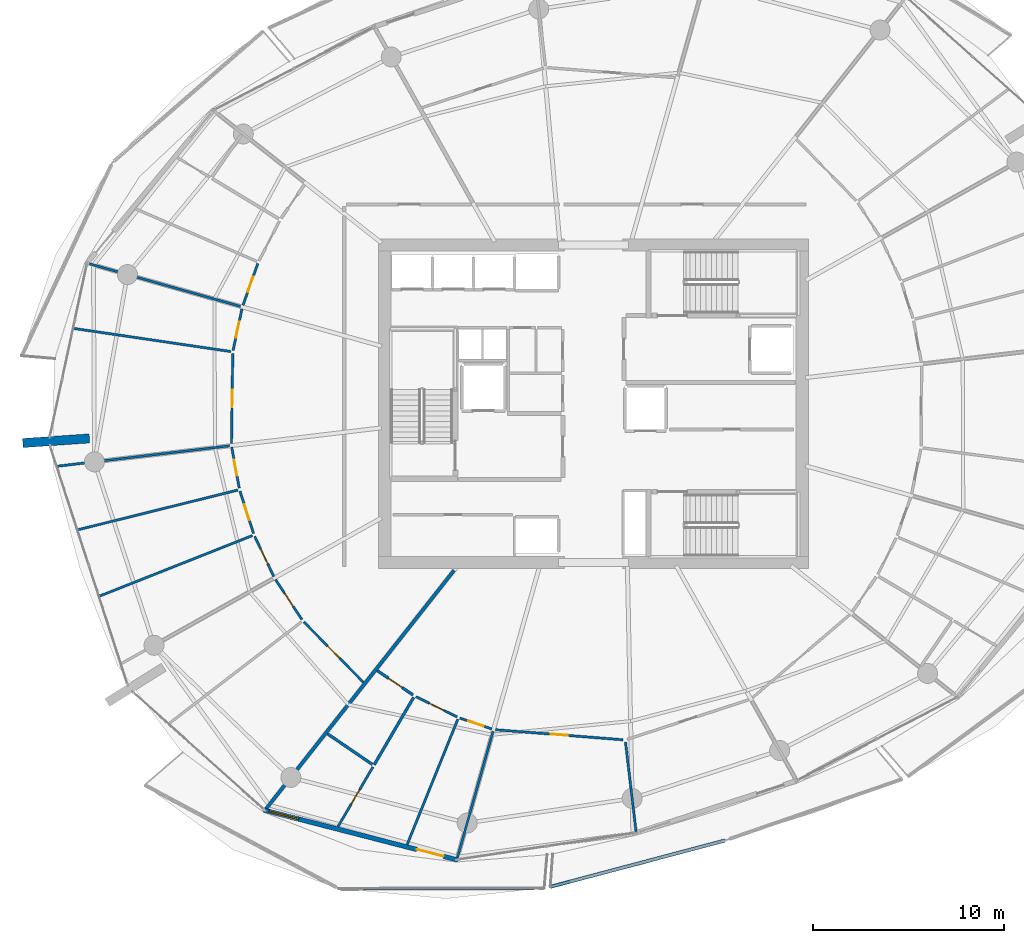
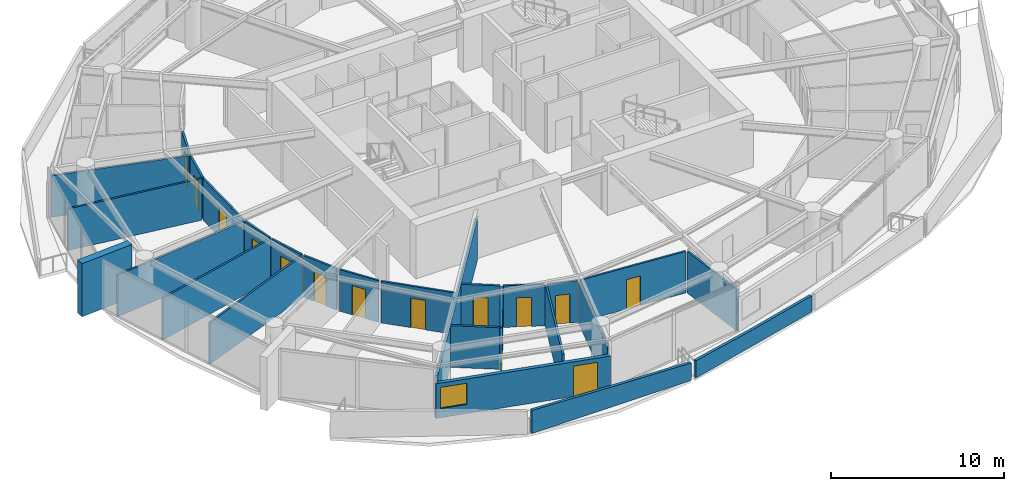
# One storey, part 11 of 20: 28 walls, 14 doors, 1 window, 15 openings.
"""IFC4 building model written with IfcOpenShell, lengths in metres."""

from ifc_helpers import new_model, si_unit, direction, frame, frame_2d, origin, place, context, subcontext, project, spatial, polyline, rectangle, outline, extrude, material, layer, layer_set, type_object, element, fill, save


model = new_model("IFC4")

# Units and contexts
model_context = context("Model", 3, precision=1e-05, world=origin(), true_north=direction((0.0, 1.0)))
body_context = subcontext(model_context, "Body", "Model", "MODEL_VIEW")
ifc_project = project(units=[si_unit("LENGTHUNIT", "METRE"), si_unit("AREAUNIT", "SQUARE_METRE"), si_unit("VOLUMEUNIT", "CUBIC_METRE"), si_unit("PLANEANGLEUNIT", "RADIAN"), si_unit("MASSUNIT", "GRAM", prefix="KILO")], contexts=[model_context])

# Site, building, storey
site_placement = place(None, origin())
site = spatial("IfcSite", under=ifc_project, at=site_placement, CompositionType="ELEMENT")
building_placement = place(site_placement, origin())
building = spatial("IfcBuilding", under=site, at=building_placement, Name="Kazma Halo Residences", CompositionType="ELEMENT")
storey_placement = place(building_placement, frame((0.0, 0.0, 214.050048828125)))
storey = spatial("IfcBuildingStorey", under=building, at=storey_placement, Name="L54", CompositionType="ELEMENT", Elevation=214.050048828125)

# Walls
ifc_material_1 = material(Name="White Concrete C50/60 Balustrade", Category="concrete")
ifc_layer_1 = layer(ifc_material_1, 0.179931640625)
ifc_layer_set_1 = layer_set([ifc_layer_1], Name="White Concrete C50/60 Balustrade")
wall_type_1 = type_object("IfcWallType", Name="WL-BAL-WAVE-180", PredefinedType="PARAPET", material=ifc_layer_set_1)
wall_1_placement = place(storey_placement, frame((35.16357421875, 16.571533203125, 0.0), z_axis=(0.0, 0.0, 1.0), x_axis=(0.999995918579, 0.002857065892, 0.0)))
element("IfcWall", 1, at=wall_1_placement, inside=storey, type_object=wall_type_1, Name="L54 white wave balustrade wall SW.2", PredefinedType="PARAPET", context=body_context, shape_type="SweptSolid", body=[
    extrude(outline(polyline([(0.0, 0.0), (10.681396484375, 0.0), (10.681396484375, 1.23291015625), (5.3408203125, 1.41796875), (0.0, 1.6318359375), (0.0, 0.0)])), frame((0.0, 0.08984375, 0.0), z_axis=(0.0, -1.0, 0.0), x_axis=(1.0, 0.0, 0.0)), (0.0, 0.0, 1.0), 0.179931640625),
])
wall_2_placement = place(storey_placement, frame((46.16162109375, 16.662109375, 0.0), z_axis=(0.0, 0.0, 1.0), x_axis=(0.96653117448, 0.256549193642, 0.0)))
element("IfcWall", 2, at=wall_2_placement, inside=storey, type_object=wall_type_1, Name="L54 white wave balustrade wall SSE.1", PredefinedType="PARAPET", context=body_context, shape_type="SweptSolid", body=[
    extrude(outline(polyline([(0.0, 0.0), (9.47265625, 0.0), (9.47265625, 1.14794921875), (4.736328125, 1.126953125), (0.0, 1.223876953125), (0.0, 0.0)])), frame((0.0, 0.08984375, 0.0), z_axis=(0.0, -1.0, 0.0), x_axis=(1.0, 0.0, 0.0)), (0.0, 0.0, 1.0), 0.179931640625),
])
ifc_material_2 = material(Name="Pale Concrete C60/75", Category="concrete")
ifc_layer_2 = layer(ifc_material_2, 0.47998046875)
ifc_layer_set_2 = layer_set([ifc_layer_2], Name="Pale Concrete C60/75")
wall_type_2 = type_object("IfcWallType", Name="WL-BLADE-480", PredefinedType="SOLIDWALL", material=ifc_layer_set_2)
wall_3_placement = place(storey_placement, frame((21.9873046875, 40.180908203125, 0.0), z_axis=(0.0, 0.0, 1.0), x_axis=(-0.997568676264, -0.069690287244, 0.0)))
element("IfcWall", 3, at=wall_3_placement, inside=storey, type_object=wall_type_2, Name="L54 pale concrete structural blade fin wall BW-02", PredefinedType="SOLIDWALL", context=body_context, shape_type="SweptSolid", body=[
    extrude(rectangle(XDim=3.499755859375, YDim=0.47998046875, at=frame_2d((1.75, 0.0))), origin(), (0.0, 0.0, 1.0), 3.75),
])
ifc_material_3 = material(Name="Acoustic Twin-Stud Gypsum")
ifc_layer_3 = layer(ifc_material_3, 0.179931640625)
ifc_layer_set_3 = layer_set([ifc_layer_3], Name="Acoustic Twin-Stud Gypsum")
wall_type_3 = type_object("IfcWallType", Name="WL-DEM-180", PredefinedType="PARTITIONING", material=ifc_layer_set_3)
wall_4_placement = place(storey_placement, frame((41.11279296875, 33.263671875, 0.0), z_axis=(0.0, 0.0, 1.0), x_axis=(-0.619089233189, -0.785320648748, 0.0)))
element("IfcWall", 4, at=wall_4_placement, inside=storey, type_object=wall_type_3, Name="L54 apartment demising radial wall 09", PredefinedType="PARTITIONING", context=body_context, shape_type="SweptSolid", body=[
    extrude(rectangle(XDim=16.005615234375, YDim=0.179931640625, at=frame_2d((8.0029296875, 0.0))), origin(), (0.0, 0.0, 1.0), 2.93994140625),
])

# Wall, openings, door, window
ifc_material_4 = material(Name="Insulated Pale-Metal Composite Wall")
ifc_layer_4 = layer(ifc_material_4, 0.239990234375)
ifc_layer_set_4 = layer_set([ifc_layer_4], Name="Insulated Pale-Metal Composite Wall")
wall_type_4 = type_object("IfcWallType", Name="WL-EXT-HOST-240", PredefinedType="SOLIDWALL", material=ifc_layer_set_4)
wall_5_placement = place(storey_placement, frame((31.139892578125, 20.68701171875, 0.0), z_axis=(0.0, 0.0, 1.0), x_axis=(0.968374028006, -0.249502989727, 0.0)))
wall_5 = element("IfcWall", 5, at=wall_5_placement, inside=storey, type_object=wall_type_4, Name="L54 exterior terrace-access wall B10", PredefinedType="SOLIDWALL", context=body_context, shape_type="SweptSolid", body=[
    extrude(rectangle(XDim=10.494384765625, YDim=0.239990234375, at=frame_2d((5.2470703125, 0.0))), origin(), (0.0, 0.0, 1.0), 2.449951171875),
])
opening_1_placement = place(wall_5_placement, frame((8.2744140625, 0.0, 0.0)))
opening_1 = element("IfcOpeningElement", 6, at=opening_1_placement, cuts=wall_5, Name="Opening DTR-1600", PredefinedType="OPENING", context=body_context, shape_type="SweptSolid", body=[
    extrude(rectangle(XDim=1.449951171875, YDim=2.14990234375, at=frame_2d((0.72509765625, 1.074951171875))), frame((0.0, 0.1298828125, 0.0), z_axis=(0.0, -1.0, 0.0), x_axis=(1.0, 0.0, 0.0)), (0.0, 0.0, 1.0), 0.260009765625),
])
opening_2_placement = place(wall_5_placement, frame((0.280029296875, 0.0, 0.64990234375)))
opening_2 = element("IfcOpeningElement", 7, at=opening_2_placement, cuts=wall_5, Name="Opening W-1800", PredefinedType="OPENING", context=body_context, shape_type="SweptSolid", body=[
    extrude(rectangle(XDim=1.60009765625, YDim=1.5, at=frame_2d((0.800048828125, 0.75))), frame((0.0, 0.1298828125, 0.0), z_axis=(0.0, -1.0, 0.0), x_axis=(1.0, 0.0, 0.0)), (0.0, 0.0, 1.0), 0.260009765625),
])
ifc_material_5 = material(Name="Aluminium AW-6063 T6 Double-Glazed Terrace Door", Category="aluminium")
door_type_1 = type_object("IfcDoorType", Name="DR-EXT-TERR-1600", OperationType="NOTDEFINED", PredefinedType="DOOR", material=ifc_material_5)
door_1_placement = place(opening_1_placement, origin())
door_1 = element("IfcDoor", 8, at=door_1_placement, inside=storey, type_object=door_type_1, Name="L54 B10 balcony terrace door", OperationType="DOUBLE_DOOR_SLIDING", OverallHeight=2.14990234375, OverallWidth=1.449951171875, PredefinedType="DOOR", context=body_context, shape_type="SweptSolid", body=[
    extrude(rectangle(XDim=1.449951171875, YDim=2.14990234375, at=frame_2d((0.72509765625, 1.074951171875))), frame((0.0, 0.02490234375, 0.0), z_axis=(0.0, -1.0, 0.0), x_axis=(1.0, 0.0, 0.0)), (0.0, 0.0, 1.0), 0.050048828125),
])
fill(opening_1, door_1)
ifc_material_6 = material(Name="Clear Triple-Silver Low-E Glass in Aluminium AW-6063 T6 Frame", Category="aluminium")
window_type = type_object("IfcWindowType", Name="WIN-RES-1800", PartitioningType="DOUBLE_PANEL_VERTICAL", PredefinedType="WINDOW", material=ifc_material_6)
window_placement = place(opening_2_placement, origin())
window = element("IfcWindow", 9, at=window_placement, inside=storey, type_object=window_type, Name="L54 B10 apartment window", OverallHeight=1.5, OverallWidth=1.60009765625, PartitioningType="SINGLE_PANEL", PredefinedType="WINDOW", context=body_context, shape_type="SweptSolid", body=[
    extrude(rectangle(XDim=1.60009765625, YDim=1.5, at=frame_2d((0.800048828125, 0.75))), frame((0.0, 0.030029296875, 0.0), z_axis=(0.0, -1.0, 0.0), x_axis=(1.0, 0.0, 0.0)), (0.0, 0.0, 1.0), 0.06005859375),
])
fill(opening_2, window)

# Wall, opening, door
ifc_material_7 = material(Name="Gypsum Plasterboard Partition")
ifc_layer_5 = layer(ifc_material_7, 0.125)
ifc_layer_set_5 = layer_set([ifc_layer_5], Name="Gypsum Plasterboard Partition")
wall_type_5 = type_object("IfcWallType", Name="WL-PART-125", PredefinedType="PARTITIONING", material=ifc_layer_set_5)
wall_6_placement = place(storey_placement, frame((30.819580078125, 49.355712890625, 0.0), z_axis=(0.0, 0.0, 1.0), x_axis=(-0.335156966619, -0.942162304344, 0.0)))
wall_6 = element("IfcWall", 10, at=wall_6_placement, inside=storey, type_object=wall_type_5, Name="L54 Apartment 1 Primary Bedroom hall wall", PredefinedType="PARTITIONING", context=body_context, shape_type="SweptSolid", body=[
    extrude(rectangle(XDim=2.321533203125, YDim=0.125, at=frame_2d((1.16064453125, 0.0))), origin(), (0.0, 0.0, 1.0), 2.93994140625),
])
opening_3_placement = place(wall_6_placement, frame((0.735595703125, 0.0, 0.0)))
opening_3 = element("IfcOpeningElement", 11, at=opening_3_placement, cuts=wall_6, Name="Opening DB-900", PredefinedType="OPENING", context=body_context, shape_type="SweptSolid", body=[
    extrude(rectangle(XDim=0.85009765625, YDim=2.06005859375, at=frame_2d((0.425048828125, 1.030029296875))), frame((0.0, 0.072509765625, 0.0), z_axis=(0.0, -1.0, 0.0), x_axis=(1.0, 0.0, 0.0)), (0.0, 0.0, 1.0), 0.14501953125),
])
ifc_material_8 = material(Name="Moisture-Sealed Timber Leaf", Category="wood")
door_type_2 = type_object("IfcDoorType", Name="DR-BTH-900", OperationType="NOTDEFINED", PredefinedType="DOOR", material=ifc_material_8)
door_2_placement = place(opening_3_placement, origin())
door_2 = element("IfcDoor", 12, at=door_2_placement, inside=storey, type_object=door_type_2, Name="L54 Apartment 1 Primary Bedroom door", OperationType="SINGLE_SWING_LEFT", OverallHeight=2.06005859375, OverallWidth=0.85009765625, PredefinedType="DOOR", context=body_context, shape_type="SweptSolid", body=[
    extrude(rectangle(XDim=0.85009765625, YDim=2.06005859375, at=frame_2d((0.425048828125, 1.030029296875))), frame((0.0, 0.02490234375, 0.0), z_axis=(0.0, -1.0, 0.0), x_axis=(1.0, 0.0, 0.0)), (0.0, 0.0, 1.0), 0.050048828125),
])
fill(opening_3, door_2)

# Walls
wall_7_placement = place(storey_placement, frame((29.91162109375, 47.101318359375, 0.0), z_axis=(0.0, 0.0, 1.0), x_axis=(-0.962449080254, 0.271462277156, 0.0)))
element("IfcWall", 13, at=wall_7_placement, inside=storey, type_object=wall_type_5, Name="L54 Apartment 1 radial partition 6", PredefinedType="PARTITIONING", context=body_context, shape_type="SweptSolid", body=[
    extrude(rectangle(XDim=8.236328125, YDim=0.125, at=frame_2d((4.1181640625, 0.0))), origin(), (0.0, 0.0, 1.0), 2.93994140625),
])
wall_8_placement = place(storey_placement, frame((29.416015625, 44.734375, 0.0), z_axis=(0.0, 0.0, 1.0), x_axis=(-0.989347742189, 0.145571443031, 0.0)))
element("IfcWall", 14, at=wall_8_placement, inside=storey, type_object=wall_type_5, Name="L54 Apartment 1 mid-bay wall 6", PredefinedType="PARTITIONING", context=body_context, shape_type="SweptSolid", body=[
    extrude(rectangle(XDim=8.3486328125, YDim=0.125, at=frame_2d((4.17431640625, 0.0))), origin(), (0.0, 0.0, 1.0), 2.93994140625),
])

# Wall, opening, door
wall_9_placement = place(storey_placement, frame((29.987060546875, 46.9765625, 0.0), z_axis=(0.0, 0.0, 1.0), x_axis=(-0.209004848165, -0.977914604372, 0.0)))
wall_9 = element("IfcWall", 15, at=wall_9_placement, inside=storey, type_object=wall_type_5, Name="L54 Apartment 1 Primary Wine Pantry Store hall wall", PredefinedType="PARTITIONING", context=body_context, shape_type="SweptSolid", body=[
    extrude(rectangle(XDim=2.226318359375, YDim=0.125, at=frame_2d((1.11328125, 0.0))), origin(), (0.0, 0.0, 1.0), 2.93994140625),
])
opening_4_placement = place(wall_9_placement, frame((0.68798828125, 0.0, 0.0)))
opening_4 = element("IfcOpeningElement", 16, at=opening_4_placement, cuts=wall_9, Name="Opening DB-900", PredefinedType="OPENING", context=body_context, shape_type="SweptSolid", body=[
    extrude(rectangle(XDim=0.85009765625, YDim=2.06005859375, at=frame_2d((0.425048828125, 1.030029296875))), frame((0.0, 0.072509765625, 0.0), z_axis=(0.0, -1.0, 0.0), x_axis=(1.0, 0.0, 0.0)), (0.0, 0.0, 1.0), 0.14501953125),
])
door_3_placement = place(opening_4_placement, origin())
door_3 = element("IfcDoor", 17, at=door_3_placement, inside=storey, type_object=door_type_2, Name="L54 Apartment 1 Primary Wine Pantry Store door", OperationType="SINGLE_SWING_LEFT", OverallHeight=2.06005859375, OverallWidth=0.85009765625, PredefinedType="DOOR", context=body_context, shape_type="SweptSolid", body=[
    extrude(rectangle(XDim=0.85009765625, YDim=2.06005859375, at=frame_2d((0.425048828125, 1.030029296875))), frame((0.0, 0.02490234375, 0.0), z_axis=(0.0, -1.0, 0.0), x_axis=(1.0, 0.0, 0.0)), (0.0, 0.0, 1.0), 0.050048828125),
])
fill(opening_4, door_3)

wall_10_placement = place(storey_placement, frame((29.50390625, 44.64111328125, 0.0), z_axis=(0.0, 0.0, 1.0), x_axis=(-0.014116482788, -0.999900357493, 0.0)))
wall_10 = element("IfcWall", 18, at=wall_10_placement, inside=storey, type_object=wall_type_5, Name="L54 Apartment 1 Secondary Formal Dining Room hall wall", PredefinedType="PARTITIONING", context=body_context, shape_type="SweptSolid", body=[
    extrude(rectangle(XDim=4.73876953125, YDim=0.125, at=frame_2d((2.369384765625, 0.0))), origin(), (0.0, 0.0, 1.0), 2.93994140625),
])
opening_5_placement = place(wall_10_placement, frame((1.91943359375, 0.0, 0.0)))
opening_5 = element("IfcOpeningElement", 19, at=opening_5_placement, cuts=wall_10, Name="Opening DI-950", PredefinedType="OPENING", context=body_context, shape_type="SweptSolid", body=[
    extrude(rectangle(XDim=0.89990234375, YDim=2.080078125, at=frame_2d((0.449951171875, 1.0400390625))), frame((0.0, 0.072509765625, 0.0), z_axis=(0.0, -1.0, 0.0), x_axis=(1.0, 0.0, 0.0)), (0.0, 0.0, 1.0), 0.14501953125),
])
ifc_material_9 = material(Name="Timber Veneer Flush Leaf", Category="wood")
door_type_3 = type_object("IfcDoorType", Name="DR-INT-950", OperationType="NOTDEFINED", PredefinedType="DOOR", material=ifc_material_9)
door_4_placement = place(opening_5_placement, origin())
door_4 = element("IfcDoor", 20, at=door_4_placement, inside=storey, type_object=door_type_3, Name="L54 Apartment 1 Secondary Formal Dining Room door", OperationType="SINGLE_SWING_RIGHT", OverallHeight=2.080078125, OverallWidth=0.89990234375, PredefinedType="DOOR", context=body_context, shape_type="SweptSolid", body=[
    extrude(rectangle(XDim=0.89990234375, YDim=2.080078125, at=frame_2d((0.449951171875, 1.0400390625))), frame((0.0, 0.02490234375, 0.0), z_axis=(0.0, -1.0, 0.0), x_axis=(1.0, 0.0, 0.0)), (0.0, 0.0, 1.0), 0.050048828125),
])
fill(opening_5, door_4)

# Walls
wall_11_placement = place(storey_placement, frame((29.336181640625, 39.791015625, 0.0), z_axis=(0.0, 0.0, 1.0), x_axis=(-0.99306722244, -0.117547827356, 0.0)))
element("IfcWall", 21, at=wall_11_placement, inside=storey, type_object=wall_type_5, Name="L54 Apartment 1 radial partition 7", PredefinedType="PARTITIONING", context=body_context, shape_type="SweptSolid", body=[
    extrude(rectangle(XDim=9.10107421875, YDim=0.125, at=frame_2d((4.550537109375, 0.0))), origin(), (0.0, 0.0, 1.0), 2.93994140625),
])
wall_12_placement = place(storey_placement, frame((29.77001953125, 37.4716796875, 0.0), z_axis=(0.0, 0.0, 1.0), x_axis=(-0.970505283608, -0.241079850857, 0.0)))
element("IfcWall", 22, at=wall_12_placement, inside=storey, type_object=wall_type_5, Name="L54 Apartment 1 bay wall 1 7", PredefinedType="PARTITIONING", context=body_context, shape_type="SweptSolid", body=[
    extrude(rectangle(XDim=8.643310546875, YDim=0.125, at=frame_2d((4.32177734375, 0.0))), origin(), (0.0, 0.0, 1.0), 2.93994140625),
])
wall_13_placement = place(storey_placement, frame((30.53515625, 35.085205078125, 0.0), z_axis=(0.0, 0.0, 1.0), x_axis=(-0.929776352491, -0.368124889607, 0.0)))
element("IfcWall", 23, at=wall_13_placement, inside=storey, type_object=wall_type_5, Name="L54 Apartment 1 bay wall 2 7", PredefinedType="PARTITIONING", context=body_context, shape_type="SweptSolid", body=[
    extrude(rectangle(XDim=8.62890625, YDim=0.125, at=frame_2d((4.314453125, 0.0))), origin(), (0.0, 0.0, 1.0), 2.93994140625),
])

# Wall, opening, door
wall_14_placement = place(storey_placement, frame((29.449951171875, 39.72412109375, 0.0), z_axis=(0.0, 0.0, 1.0), x_axis=(0.179671023407, -0.98372675238, 0.0)))
wall_14 = element("IfcWall", 24, at=wall_14_placement, inside=storey, type_object=wall_type_5, Name="L54 Apartment 1 East Bedroom hall wall", PredefinedType="PARTITIONING", context=body_context, shape_type="SweptSolid", body=[
    extrude(rectangle(XDim=2.187744140625, YDim=0.125, at=frame_2d((1.09375, 0.0))), origin(), (0.0, 0.0, 1.0), 2.93994140625),
])
opening_6_placement = place(wall_14_placement, frame((0.668701171875, 0.0, 0.0)))
opening_6 = element("IfcOpeningElement", 25, at=opening_6_placement, cuts=wall_14, Name="Opening DB-900", PredefinedType="OPENING", context=body_context, shape_type="SweptSolid", body=[
    extrude(rectangle(XDim=0.85009765625, YDim=2.06005859375, at=frame_2d((0.425048828125, 1.030029296875))), frame((0.0, 0.072509765625, 0.0), z_axis=(0.0, -1.0, 0.0), x_axis=(1.0, 0.0, 0.0)), (0.0, 0.0, 1.0), 0.14501953125),
])
door_5_placement = place(opening_6_placement, origin())
door_5 = element("IfcDoor", 26, at=door_5_placement, inside=storey, type_object=door_type_2, Name="L54 Apartment 1 East Bedroom door", OperationType="SINGLE_SWING_LEFT", OverallHeight=2.06005859375, OverallWidth=0.85009765625, PredefinedType="DOOR", context=body_context, shape_type="SweptSolid", body=[
    extrude(rectangle(XDim=0.85009765625, YDim=2.06005859375, at=frame_2d((0.425048828125, 1.030029296875))), frame((0.0, 0.02490234375, 0.0), z_axis=(0.0, -1.0, 0.0), x_axis=(1.0, 0.0, 0.0)), (0.0, 0.0, 1.0), 0.050048828125),
])
fill(opening_6, door_5)

wall_15_placement = place(storey_placement, frame((29.8818359375, 37.4169921875, 0.0), z_axis=(0.0, 0.0, 1.0), x_axis=(0.305348810802, -0.952240570309, 0.0)))
wall_15 = element("IfcWall", 27, at=wall_15_placement, inside=storey, type_object=wall_type_5, Name="L54 Apartment 1 West Dressing Wardrobe hall wall", PredefinedType="PARTITIONING", context=body_context, shape_type="SweptSolid", body=[
    extrude(rectangle(XDim=2.333984375, YDim=0.125, at=frame_2d((1.1669921875, 0.0))), origin(), (0.0, 0.0, 1.0), 2.93994140625),
])
opening_7_placement = place(wall_15_placement, frame((0.741943359375, 0.0, 0.0)))
opening_7 = element("IfcOpeningElement", 28, at=opening_7_placement, cuts=wall_15, Name="Opening DB-900", PredefinedType="OPENING", context=body_context, shape_type="SweptSolid", body=[
    extrude(rectangle(XDim=0.85009765625, YDim=2.06005859375, at=frame_2d((0.425048828125, 1.030029296875))), frame((0.0, 0.072509765625, 0.0), z_axis=(0.0, -1.0, 0.0), x_axis=(1.0, 0.0, 0.0)), (0.0, 0.0, 1.0), 0.14501953125),
])
door_6_placement = place(opening_7_placement, origin())
door_6 = element("IfcDoor", 29, at=door_6_placement, inside=storey, type_object=door_type_2, Name="L54 Apartment 1 West Dressing Wardrobe door", OperationType="SINGLE_SWING_RIGHT", OverallHeight=2.06005859375, OverallWidth=0.85009765625, PredefinedType="DOOR", context=body_context, shape_type="SweptSolid", body=[
    extrude(rectangle(XDim=0.85009765625, YDim=2.06005859375, at=frame_2d((0.425048828125, 1.030029296875))), frame((0.0, 0.02490234375, 0.0), z_axis=(0.0, -1.0, 0.0), x_axis=(1.0, 0.0, 0.0)), (0.0, 0.0, 1.0), 0.050048828125),
])
fill(opening_7, door_6)

wall_16_placement = place(storey_placement, frame((30.653076171875, 35.0458984375, 0.0), z_axis=(0.0, 0.0, 1.0), x_axis=(0.429385363207, -0.903121370506, 0.0)))
wall_16 = element("IfcWall", 30, at=wall_16_placement, inside=storey, type_object=wall_type_5, Name="L54 Apartment 1 North Bedroom hall wall", PredefinedType="PARTITIONING", context=body_context, shape_type="SweptSolid", body=[
    extrude(rectangle(XDim=2.333984375, YDim=0.125, at=frame_2d((1.1669921875, 0.0))), origin(), (0.0, 0.0, 1.0), 2.93994140625),
])
opening_8_placement = place(wall_16_placement, frame((0.7421875, 0.0, 0.0)))
opening_8 = element("IfcOpeningElement", 31, at=opening_8_placement, cuts=wall_16, Name="Opening DB-900", PredefinedType="OPENING", context=body_context, shape_type="SweptSolid", body=[
    extrude(rectangle(XDim=0.85009765625, YDim=2.06005859375, at=frame_2d((0.425048828125, 1.030029296875))), frame((0.0, 0.072509765625, 0.0), z_axis=(0.0, -1.0, 0.0), x_axis=(1.0, 0.0, 0.0)), (0.0, 0.0, 1.0), 0.14501953125),
])
door_7_placement = place(opening_8_placement, origin())
door_7 = element("IfcDoor", 32, at=door_7_placement, inside=storey, type_object=door_type_2, Name="L54 Apartment 1 North Bedroom door", OperationType="SINGLE_SWING_LEFT", OverallHeight=2.06005859375, OverallWidth=0.85009765625, PredefinedType="DOOR", context=body_context, shape_type="SweptSolid", body=[
    extrude(rectangle(XDim=0.85009765625, YDim=2.06005859375, at=frame_2d((0.425048828125, 1.030029296875))), frame((0.0, 0.02490234375, 0.0), z_axis=(0.0, -1.0, 0.0), x_axis=(1.0, 0.0, 0.0)), (0.0, 0.0, 1.0), 0.050048828125),
])
fill(opening_8, door_7)

wall_17_placement = place(storey_placement, frame((31.74462890625, 32.7822265625, 0.0), z_axis=(0.0, 0.0, 1.0), x_axis=(0.550331787139, -0.834946060572, 0.0)))
wall_17 = element("IfcWall", 33, at=wall_17_placement, inside=storey, type_object=wall_type_5, Name="L54 Apartment 1 South Wine Pantry Store hall wall", PredefinedType="PARTITIONING", context=body_context, shape_type="SweptSolid", body=[
    extrude(rectangle(XDim=2.519287109375, YDim=0.125, at=frame_2d((1.259765625, 0.0))), origin(), (0.0, 0.0, 1.0), 2.93994140625),
])
opening_9_placement = place(wall_17_placement, frame((0.834716796875, 0.0, 0.0)))
opening_9 = element("IfcOpeningElement", 34, at=opening_9_placement, cuts=wall_17, Name="Opening DB-900", PredefinedType="OPENING", context=body_context, shape_type="SweptSolid", body=[
    extrude(rectangle(XDim=0.85009765625, YDim=2.06005859375, at=frame_2d((0.425048828125, 1.030029296875))), frame((0.0, 0.072509765625, 0.0), z_axis=(0.0, -1.0, 0.0), x_axis=(1.0, 0.0, 0.0)), (0.0, 0.0, 1.0), 0.14501953125),
])
door_8_placement = place(opening_9_placement, origin())
door_8 = element("IfcDoor", 35, at=door_8_placement, inside=storey, type_object=door_type_2, Name="L54 Apartment 1 South Wine Pantry Store door", OperationType="SINGLE_SWING_LEFT", OverallHeight=2.06005859375, OverallWidth=0.85009765625, PredefinedType="DOOR", context=body_context, shape_type="SweptSolid", body=[
    extrude(rectangle(XDim=0.85009765625, YDim=2.06005859375, at=frame_2d((0.425048828125, 1.030029296875))), frame((0.0, 0.02490234375, 0.0), z_axis=(0.0, -1.0, 0.0), x_axis=(1.0, 0.0, 0.0)), (0.0, 0.0, 1.0), 0.050048828125),
])
fill(opening_9, door_8)

wall_18_placement = place(storey_placement, frame((33.231201171875, 30.55517578125, 0.0), z_axis=(0.0, 0.0, 1.0), x_axis=(0.702646714281, -0.711538892057, 0.0)))
wall_18 = element("IfcWall", 36, at=wall_18_placement, inside=storey, type_object=wall_type_5, Name="L54 Apartment 1 Inner Formal Dining Room hall wall", PredefinedType="PARTITIONING", context=body_context, shape_type="SweptSolid", body=[
    extrude(rectangle(XDim=4.44775390625, YDim=0.125, at=frame_2d((2.223876953125, 0.0))), origin(), (0.0, 0.0, 1.0), 2.93994140625),
])
opening_10_placement = place(wall_18_placement, frame((1.773681640625, 0.0, 0.0)))
opening_10 = element("IfcOpeningElement", 37, at=opening_10_placement, cuts=wall_18, Name="Opening DI-950", PredefinedType="OPENING", context=body_context, shape_type="SweptSolid", body=[
    extrude(rectangle(XDim=0.89990234375, YDim=2.080078125, at=frame_2d((0.449951171875, 1.0400390625))), frame((0.0, 0.072509765625, 0.0), z_axis=(0.0, -1.0, 0.0), x_axis=(1.0, 0.0, 0.0)), (0.0, 0.0, 1.0), 0.14501953125),
])
door_9_placement = place(opening_10_placement, origin())
door_9 = element("IfcDoor", 38, at=door_9_placement, inside=storey, type_object=door_type_3, Name="L54 Apartment 1 Inner Formal Dining Room door", OperationType="SINGLE_SWING_RIGHT", OverallHeight=2.080078125, OverallWidth=0.89990234375, PredefinedType="DOOR", context=body_context, shape_type="SweptSolid", body=[
    extrude(rectangle(XDim=0.89990234375, YDim=2.080078125, at=frame_2d((0.449951171875, 1.0400390625))), frame((0.0, 0.02490234375, 0.0), z_axis=(0.0, -1.0, 0.0), x_axis=(1.0, 0.0, 0.0)), (0.0, 0.0, 1.0), 0.050048828125),
])
fill(opening_10, door_9)

wall_19_placement = place(storey_placement, frame((36.856689453125, 22.953369140625, 0.0), z_axis=(0.0, 0.0, 1.0), x_axis=(-0.504954980617, -0.863145681533, 0.0)))
wall_19 = element("IfcWall", 39, at=wall_19_placement, inside=storey, type_object=wall_type_5, Name="L54 Apartment 2 Utility Laundry Room partition wall", PredefinedType="PARTITIONING", context=body_context, shape_type="SweptSolid", body=[
    extrude(rectangle(XDim=3.6396484375, YDim=0.125, at=frame_2d((1.81982421875, 0.0))), origin(), (0.0, 0.0, 1.0), 2.93994140625),
])
opening_11_placement = place(wall_19_placement, frame((1.394775390625, 0.0, 0.0)))
opening_11 = element("IfcOpeningElement", 40, at=opening_11_placement, cuts=wall_19, Name="Opening DB-900", PredefinedType="OPENING", context=body_context, shape_type="SweptSolid", body=[
    extrude(rectangle(XDim=0.85009765625, YDim=2.06005859375, at=frame_2d((0.425048828125, 1.030029296875))), frame((0.0, 0.072509765625, 0.0), z_axis=(0.0, -1.0, 0.0), x_axis=(1.0, 0.0, 0.0)), (0.0, 0.0, 1.0), 0.14501953125),
])
door_10_placement = place(opening_11_placement, origin())
door_10 = element("IfcDoor", 41, at=door_10_placement, inside=storey, type_object=door_type_2, Name="L54 Apartment 2 Utility Laundry Room door", OperationType="SINGLE_SWING_LEFT", OverallHeight=2.06005859375, OverallWidth=0.85009765625, PredefinedType="DOOR", context=body_context, shape_type="SweptSolid", body=[
    extrude(rectangle(XDim=0.85009765625, YDim=2.06005859375, at=frame_2d((0.425048828125, 1.030029296875))), frame((0.0, 0.02490234375, 0.0), z_axis=(0.0, -1.0, 0.0), x_axis=(1.0, 0.0, 0.0)), (0.0, 0.0, 1.0), 0.050048828125),
])
fill(opening_11, door_10)

# Wall
wall_20_placement = place(storey_placement, frame((41.308837890625, 25.454833984375, 0.0), z_axis=(0.0, 0.0, 1.0), x_axis=(-0.374907525365, -0.927062213352, 0.0)))
element("IfcWall", 42, at=wall_20_placement, inside=storey, type_object=wall_type_5, Name="L54 Apartment 2 suite divider 9", PredefinedType="PARTITIONING", context=body_context, shape_type="SweptSolid", body=[
    extrude(rectangle(XDim=7.09228515625, YDim=0.125, at=frame_2d((3.546142578125, 0.0))), origin(), (0.0, 0.0, 1.0), 2.93994140625),
])

# Wall, opening, door
wall_21_placement = place(storey_placement, frame((39.114013671875, 26.6337890625, 0.0), z_axis=(0.0, 0.0, 1.0), x_axis=(0.897413929061, -0.441189573683, 0.0)))
wall_21 = element("IfcWall", 43, at=wall_21_placement, inside=storey, type_object=wall_type_5, Name="L54 Apartment 2 Gourmet Kitchen hall wall", PredefinedType="PARTITIONING", context=body_context, shape_type="SweptSolid", body=[
    extrude(rectangle(XDim=2.4033203125, YDim=0.125, at=frame_2d((1.20166015625, 0.0))), origin(), (0.0, 0.0, 1.0), 2.93994140625),
])
opening_12_placement = place(wall_21_placement, frame((0.776611328125, 0.0, 0.0)))
opening_12 = element("IfcOpeningElement", 44, at=opening_12_placement, cuts=wall_21, Name="Opening DB-900", PredefinedType="OPENING", context=body_context, shape_type="SweptSolid", body=[
    extrude(rectangle(XDim=0.85009765625, YDim=2.06005859375, at=frame_2d((0.425048828125, 1.030029296875))), frame((0.0, 0.072509765625, 0.0), z_axis=(0.0, -1.0, 0.0), x_axis=(1.0, 0.0, 0.0)), (0.0, 0.0, 1.0), 0.14501953125),
])
door_11_placement = place(opening_12_placement, origin())
door_11 = element("IfcDoor", 45, at=door_11_placement, inside=storey, type_object=door_type_2, Name="L54 Apartment 2 Gourmet Kitchen door", OperationType="SINGLE_SWING_RIGHT", OverallHeight=2.06005859375, OverallWidth=0.85009765625, PredefinedType="DOOR", context=body_context, shape_type="SweptSolid", body=[
    extrude(rectangle(XDim=0.85009765625, YDim=2.06005859375, at=frame_2d((0.425048828125, 1.030029296875))), frame((0.0, 0.02490234375, 0.0), z_axis=(0.0, -1.0, 0.0), x_axis=(1.0, 0.0, 0.0)), (0.0, 0.0, 1.0), 0.050048828125),
])
fill(opening_12, door_11)

wall_22_placement = place(storey_placement, frame((41.418212890625, 25.51220703125, 0.0), z_axis=(0.0, 0.0, 1.0), x_axis=(0.946216458122, -0.32353425534, 0.0)))
wall_22 = element("IfcWall", 46, at=wall_22_placement, inside=storey, type_object=wall_type_5, Name="L54 Apartment 2 Primary Bedroom hall wall", PredefinedType="PARTITIONING", context=body_context, shape_type="SweptSolid", body=[
    extrude(rectangle(XDim=1.761962890625, YDim=0.125, at=frame_2d((0.880859375, 0.0))), origin(), (0.0, 0.0, 1.0), 2.93994140625),
])
opening_13_placement = place(wall_22_placement, frame((0.4560546875, 0.0, 0.0)))
opening_13 = element("IfcOpeningElement", 47, at=opening_13_placement, cuts=wall_22, Name="Opening DB-900", PredefinedType="OPENING", context=body_context, shape_type="SweptSolid", body=[
    extrude(rectangle(XDim=0.85009765625, YDim=2.06005859375, at=frame_2d((0.425048828125, 1.030029296875))), frame((0.0, 0.072509765625, 0.0), z_axis=(0.0, -1.0, 0.0), x_axis=(1.0, 0.0, 0.0)), (0.0, 0.0, 1.0), 0.14501953125),
])
door_12_placement = place(opening_13_placement, origin())
door_12 = element("IfcDoor", 48, at=door_12_placement, inside=storey, type_object=door_type_2, Name="L54 Apartment 2 Primary Bedroom door", OperationType="SINGLE_SWING_LEFT", OverallHeight=2.06005859375, OverallWidth=0.85009765625, PredefinedType="DOOR", context=body_context, shape_type="SweptSolid", body=[
    extrude(rectangle(XDim=0.85009765625, YDim=2.06005859375, at=frame_2d((0.425048828125, 1.030029296875))), frame((0.0, 0.02490234375, 0.0), z_axis=(0.0, -1.0, 0.0), x_axis=(1.0, 0.0, 0.0)), (0.0, 0.0, 1.0), 0.050048828125),
])
fill(opening_13, door_12)

# Wall
wall_23_placement = place(storey_placement, frame((43.15283203125, 24.8134765625, 0.0), z_axis=(0.0, 0.0, 1.0), x_axis=(-0.271433998897, -0.962457055791, 0.0)))
element("IfcWall", 49, at=wall_23_placement, inside=storey, type_object=wall_type_5, Name="L54 Apartment 2 radial partition 10", PredefinedType="PARTITIONING", context=body_context, shape_type="SweptSolid", body=[
    extrude(rectangle(XDim=6.869873046875, YDim=0.125, at=frame_2d((3.43505859375, 0.0))), origin(), (0.0, 0.0, 1.0), 2.93994140625),
])

# Wall, opening, door
wall_24_placement = place(storey_placement, frame((43.289794921875, 24.901123046875, 0.0), z_axis=(0.0, 0.0, 1.0), x_axis=(0.996916756268, -0.078466432773, 0.0)))
wall_24 = element("IfcWall", 50, at=wall_24_placement, inside=storey, type_object=wall_type_5, Name="L54 Apartment 2 East Formal Dining Room gallery wall", PredefinedType="PARTITIONING", context=body_context, shape_type="SweptSolid", body=[
    extrude(rectangle(XDim=6.708251953125, YDim=0.125, at=frame_2d((3.35400390625, 0.0))), origin(), (0.0, 0.0, 1.0), 2.93994140625),
])
opening_14_placement = place(wall_24_placement, frame((2.904296875, 0.0, 0.0)))
opening_14 = element("IfcOpeningElement", 51, at=opening_14_placement, cuts=wall_24, Name="Opening DI-950", PredefinedType="OPENING", context=body_context, shape_type="SweptSolid", body=[
    extrude(rectangle(XDim=0.89990234375, YDim=2.080078125, at=frame_2d((0.449951171875, 1.0400390625))), frame((0.0, 0.072509765625, 0.0), z_axis=(0.0, -1.0, 0.0), x_axis=(1.0, 0.0, 0.0)), (0.0, 0.0, 1.0), 0.14501953125),
])
door_13_placement = place(opening_14_placement, origin())
door_13 = element("IfcDoor", 52, at=door_13_placement, inside=storey, type_object=door_type_3, Name="L54 Apartment 2 East Formal Dining Room door", OperationType="SINGLE_SWING_LEFT", OverallHeight=2.080078125, OverallWidth=0.89990234375, PredefinedType="DOOR", context=body_context, shape_type="SweptSolid", body=[
    extrude(rectangle(XDim=0.89990234375, YDim=2.080078125, at=frame_2d((0.449951171875, 1.0400390625))), frame((0.0, 0.02490234375, 0.0), z_axis=(0.0, -1.0, 0.0), x_axis=(1.0, 0.0, 0.0)), (0.0, 0.0, 1.0), 0.050048828125),
])
fill(opening_14, door_13)

# Wall
wall_25_placement = place(storey_placement, frame((50.098876953125, 24.266845703125, 0.0), z_axis=(0.0, 0.0, 1.0), x_axis=(0.117511168915, -0.993071560956, 0.0)))
element("IfcWall", 53, at=wall_25_placement, inside=storey, type_object=wall_type_5, Name="L54 Apartment 2 radial partition 11", PredefinedType="PARTITIONING", context=body_context, shape_type="SweptSolid", body=[
    extrude(rectangle(XDim=4.778564453125, YDim=0.125, at=frame_2d((2.38916015625, 0.0))), origin(), (0.0, 0.0, 1.0), 2.93994140625),
])

# Wall, opening, door
ifc_material_10 = material(Name="Moisture-Resistant Gypsum")
ifc_layer_6 = layer(ifc_material_10, 0.14990234375)
ifc_layer_set_6 = layer_set([ifc_layer_6], Name="Moisture-Resistant Gypsum")
wall_type_6 = type_object("IfcWallType", Name="WL-WET-150", PredefinedType="PARTITIONING", material=ifc_layer_set_6)
wall_26_placement = place(storey_placement, frame((37.08935546875, 27.998779296875, 0.0), z_axis=(0.0, 0.0, 1.0), x_axis=(0.826211362519, -0.563360261684, 0.0)))
wall_26 = element("IfcWall", 54, at=wall_26_placement, inside=storey, type_object=wall_type_6, Name="L54 Apartment 2 Guest Bathroom hall wall", PredefinedType="PARTITIONING", context=body_context, shape_type="SweptSolid", body=[
    extrude(rectangle(XDim=2.2626953125, YDim=0.14990234375, at=frame_2d((1.13134765625, 0.0))), origin(), (0.0, 0.0, 1.0), 2.93994140625),
])
opening_15_placement = place(wall_26_placement, frame((0.706298828125, 0.0, 0.0)))
opening_15 = element("IfcOpeningElement", 55, at=opening_15_placement, cuts=wall_26, Name="Opening DB-900", PredefinedType="OPENING", context=body_context, shape_type="SweptSolid", body=[
    extrude(rectangle(XDim=0.85009765625, YDim=2.06005859375, at=frame_2d((0.425048828125, 1.030029296875))), frame((0.0, 0.0849609375, 0.0), z_axis=(0.0, -1.0, 0.0), x_axis=(1.0, 0.0, 0.0)), (0.0, 0.0, 1.0), 0.169921875),
])
door_14_placement = place(opening_15_placement, origin())
door_14 = element("IfcDoor", 56, at=door_14_placement, inside=storey, type_object=door_type_2, Name="L54 Apartment 2 Guest Bathroom door", OperationType="SINGLE_SWING_RIGHT", OverallHeight=2.06005859375, OverallWidth=0.85009765625, PredefinedType="DOOR", context=body_context, shape_type="SweptSolid", body=[
    extrude(rectangle(XDim=0.85009765625, YDim=2.06005859375, at=frame_2d((0.425048828125, 1.030029296875))), frame((0.0, 0.02490234375, 0.0), z_axis=(0.0, -1.0, 0.0), x_axis=(1.0, 0.0, 0.0)), (0.0, 0.0, 1.0), 0.050048828125),
])
fill(opening_15, door_14)

# Walls
wall_27_placement = place(storey_placement, frame((34.476806640625, 24.684814453125, 0.0), z_axis=(0.0, 0.0, 1.0), x_axis=(0.826196481555, -0.563382085148, 0.0)))
element("IfcWall", 57, at=wall_27_placement, inside=storey, type_object=wall_type_6, Name="L54 Apartment 2 Guest Bathroom back wall", PredefinedType="PARTITIONING", context=body_context, shape_type="SweptSolid", body=[
    extrude(rectangle(XDim=2.845458984375, YDim=0.14990234375, at=frame_2d((1.4228515625, 0.0))), origin(), (0.0, 0.0, 1.0), 2.93994140625),
])
wall_28_placement = place(storey_placement, frame((38.98779296875, 26.595703125, 0.0), z_axis=(0.0, 0.0, 1.0), x_axis=(-0.504984010109, -0.863128698129, 0.0)))
element("IfcWall", 58, at=wall_28_placement, inside=storey, type_object=wall_type_6, Name="L54 Apartment 2 Guest Bathroom side wall", PredefinedType="PARTITIONING", context=body_context, shape_type="SweptSolid", body=[
    extrude(rectangle(XDim=4.090087890625, YDim=0.14990234375, at=frame_2d((2.044921875, 0.0))), origin(), (0.0, 0.0, 1.0), 2.93994140625),
])

save(model, "model.ifc")
